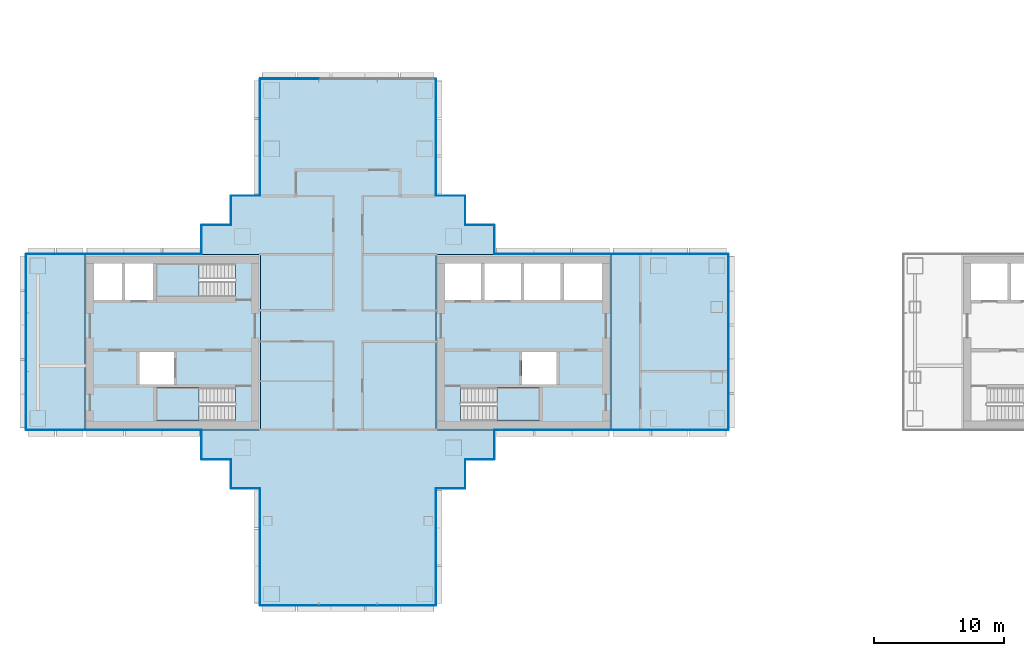
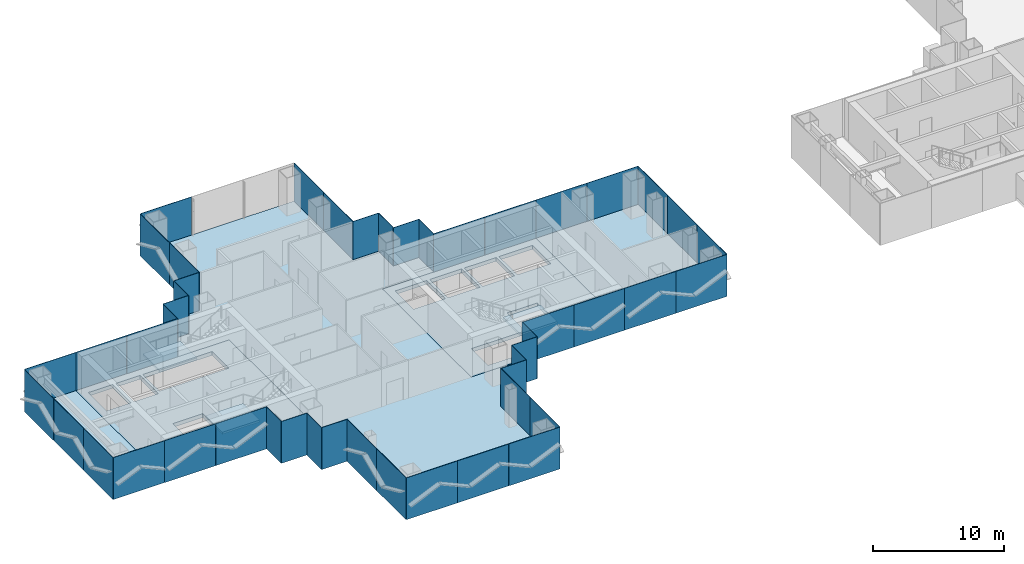
# One storey, part 8 of 19: 48 plates, 8 slabs, 23 elements without a shape of their own.
"""IFC4 building model written with IfcOpenShell, lengths in metres."""

from ifc_helpers import new_model, si_unit, direction, frame, origin, origin_2d, place, context, subcontext, project, spatial, polyline, rectangle, outline, extrude, material, layer, layer_set, type_object, element, aggregate, save


model = new_model("IFC4")

# Units and contexts
model_context = context("Model", 3, precision=1e-05, world=origin(), true_north=direction((0.0, 1.0)))
body_context = subcontext(model_context, "Body", "Model", "MODEL_VIEW")
ifc_project = project(units=[si_unit("LENGTHUNIT", "METRE"), si_unit("AREAUNIT", "SQUARE_METRE"), si_unit("VOLUMEUNIT", "CUBIC_METRE"), si_unit("PLANEANGLEUNIT", "RADIAN"), si_unit("MASSUNIT", "GRAM", prefix="KILO")], contexts=[model_context])

# Site, building, storey
site_placement = place(None, origin())
site = spatial("IfcSite", under=ifc_project, at=site_placement, CompositionType="ELEMENT")
building_placement = place(site_placement, origin())
building = spatial("IfcBuilding", under=site, at=building_placement, Name="Shamsa Quay Exchange Towers", CompositionType="ELEMENT")
storey_placement = place(building_placement, frame((0.0, 0.0, 97.5)))
storey = spatial("IfcBuildingStorey", under=building, at=storey_placement, Name="L22", CompositionType="ELEMENT", Elevation=97.5)

# Slabs
ifc_material_1 = material(Name="Concrete C50/60", Category="concrete")
ifc_layer_1 = layer(ifc_material_1, 0.35009765625)
ifc_layer_set_1 = layer_set([ifc_layer_1], Name="CORE FLOOR 350 C50/60")
slab_type_1 = type_object("IfcSlabType", Name="CORE FLOOR 350 C50/60", PredefinedType="FLOOR", material=ifc_layer_set_1)
slab_1_placement = place(storey_placement, frame((0.0, 0.0, -0.35009765625)))
element("IfcSlab", 1, at=slab_1_placement, inside=storey, type_object=slab_type_1, Name="Core floor T1A", PredefinedType="FLOOR", context=body_context, shape_type="SweptSolid", body=[
    extrude(outline(polyline([(-27.0, -6.75), (-13.5, -6.75), (-13.5, 6.75), (-27.0, 6.75), (-27.0, -6.75)]), holes=[polyline([(-25.099365234375, -6.050048828125), (-25.099365234375, -3.5), (-19.0, -3.5), (-19.0, -6.050048828125), (-25.099365234375, -6.050048828125)]), polyline([(-26.300048828125, 3.25), (-26.300048828125, 6.050048828125), (-23.5, 6.050048828125), (-23.5, 3.25), (-26.300048828125, 3.25)]), polyline([(-23.25, 3.25), (-23.25, 6.050048828125), (-20.449951171875, 6.050048828125), (-20.449951171875, 3.25), (-23.25, 3.25)]), polyline([(-20.199951171875, 3.25), (-20.199951171875, 6.050048828125), (-17.39990234375, 6.050048828125), (-17.39990234375, 3.25), (-20.199951171875, 3.25)]), polyline([(-17.14990234375, 3.25), (-17.14990234375, 6.050048828125), (-14.199951171875, 6.050048828125), (-14.199951171875, 3.25), (-17.14990234375, 3.25)]), polyline([(-20.35009765625, -3.25), (-20.35009765625, -0.75), (-17.699951171875, -0.75), (-17.699951171875, -3.25), (-20.35009765625, -3.25)])]), origin(), (0.0, 0.0, 1.0), 0.35009765625),
])
slab_2_placement = place(storey_placement, frame((0.0, 0.0, -0.35009765625)))
element("IfcSlab", 2, at=slab_2_placement, inside=storey, type_object=slab_type_1, Name="Core floor T1B", PredefinedType="FLOOR", context=body_context, shape_type="SweptSolid", body=[
    extrude(outline(polyline([(-40.5, -6.75), (-40.5, 6.75), (-54.0, 6.75), (-54.0, -6.75), (-40.5, -6.75)]), holes=[polyline([(-42.400634765625, -3.5), (-42.400634765625, -6.050048828125), (-48.5, -6.050048828125), (-48.5, -3.5), (-42.400634765625, -3.5)]), polyline([(-42.400634765625, 6.050048828125), (-42.400634765625, 3.5), (-48.5, 3.5), (-48.5, 6.050048828125), (-42.400634765625, 6.050048828125)]), polyline([(-48.75, 3.25), (-50.89990234375, 3.25), (-50.89990234375, 6.050048828125), (-48.75, 6.050048828125), (-48.75, 3.25)]), polyline([(-51.14990234375, 3.25), (-53.300048828125, 3.25), (-53.300048828125, 6.050048828125), (-51.14990234375, 6.050048828125), (-51.14990234375, 3.25)]), polyline([(-47.14990234375, -3.25), (-49.800048828125, -3.25), (-49.800048828125, -0.75), (-47.14990234375, -0.75), (-47.14990234375, -3.25)])]), origin(), (0.0, 0.0, 1.0), 0.35009765625),
])

# Stair, slab
ifc_material_2 = material(Name="Concrete C40/50", Category="concrete")
stair_type = type_object("IfcStairType", Name="EXIT STAIR 22 RISERS 177 MM", PredefinedType="HALF_TURN_STAIR", material=ifc_material_2)
stair_1_placement = place(storey_placement, origin())
stair_1 = element("IfcStair", 3, at=stair_1_placement, inside=storey, type_object=stair_type, Name="L22 Exit stair ST1", PredefinedType="HALF_TURN_STAIR")
ifc_layer_2 = layer(ifc_material_2, 0.199951171875)
ifc_layer_set_2 = layer_set([ifc_layer_2], Name="CORE STAIR LANDING")
slab_type_2 = type_object("IfcSlabType", Name="CORE STAIR LANDING", PredefinedType="LANDING", material=ifc_layer_set_2)
slab_3_placement = place(storey_placement, frame((0.0, 0.0, 1.75)))
slab_3 = element("IfcSlab", 4, at=slab_3_placement, type_object=slab_type_2, Name="ST1 landing 1", PredefinedType="LANDING", context=body_context, shape_type="SweptSolid", body=[
    extrude(outline(polyline([(-22.300048828125, -6.050048828125), (-19.0, -6.050048828125), (-19.0, -3.5), (-22.300048828125, -3.5), (-22.300048828125, -6.050048828125)])), origin(), (0.0, 0.0, 1.0), 0.199951171875),
])
aggregate(stair_1, [slab_3])

stair_2_placement = place(storey_placement, origin())
stair_2 = element("IfcStair", 5, at=stair_2_placement, inside=storey, type_object=stair_type, Name="L22 Exit stair ST2", PredefinedType="HALF_TURN_STAIR")
slab_4_placement = place(storey_placement, frame((0.0, 0.0, 1.75)))
slab_4 = element("IfcSlab", 6, at=slab_4_placement, type_object=slab_type_2, Name="ST2 landing 1", PredefinedType="LANDING", context=body_context, shape_type="SweptSolid", body=[
    extrude(outline(polyline([(-45.199951171875, -3.5), (-48.5, -3.5), (-48.5, -6.050048828125), (-45.199951171875, -6.050048828125), (-45.199951171875, -3.5)])), origin(), (0.0, 0.0, 1.0), 0.199951171875),
])
aggregate(stair_2, [slab_4])

stair_3_placement = place(storey_placement, origin())
stair_3 = element("IfcStair", 7, at=stair_3_placement, inside=storey, type_object=stair_type, Name="L22 Exit stair ST3", PredefinedType="HALF_TURN_STAIR")
slab_5_placement = place(storey_placement, frame((0.0, 0.0, 1.75)))
slab_5 = element("IfcSlab", 8, at=slab_5_placement, type_object=slab_type_2, Name="ST3 landing 1", PredefinedType="LANDING", context=body_context, shape_type="SweptSolid", body=[
    extrude(outline(polyline([(-45.199951171875, 6.050048828125), (-48.5, 6.050048828125), (-48.5, 3.5), (-45.199951171875, 3.5), (-45.199951171875, 6.050048828125)])), origin(), (0.0, 0.0, 1.0), 0.199951171875),
])
aggregate(stair_3, [slab_5])

# Curtain wall, plates
ifc_material_3 = material(Name="Aluminium EN AW-6063 T6, black anodised", Category="aluminium")
ifc_layer_3 = layer(ifc_material_3, 0.280029296875)
ifc_layer_set_3 = layer_set([ifc_layer_3], Name="CW-1 UNITISED VISION GLASS")
curtain_wall_type_1 = type_object("IfcCurtainWallType", Name="CW-1 UNITISED VISION GLASS", PredefinedType="NOTDEFINED", material=ifc_layer_set_3)
curtain_wall_1_placement = place(storey_placement, origin())
curtain_wall_1 = element("IfcCurtainWall", 9, at=curtain_wall_1_placement, inside=storey, type_object=curtain_wall_type_1, Name="CW1 T1-FLK-V-W L22", PredefinedType="NOTDEFINED")
ifc_material_4 = material(Name="Glass, laminated, dark tinted", Category="glass")
ifc_layer_4 = layer(ifc_material_4, 0.0400390625)
ifc_layer_set_4 = layer_set([ifc_layer_4], Name="CW-1 VISION GLASS 40")
plate_type_1 = type_object("IfcPlateType", Name="CW-1 VISION GLASS 40", PredefinedType="CURTAIN_PANEL", material=ifc_layer_set_4)
plate_1_placement = place(storey_placement, frame((-40.52001953125, -13.52587890625, -0.349853515625), z_axis=(0.0, 0.0, 1.0), x_axis=(0.0, -1.0, 0.0)))
plate_1 = element("IfcPlate", 10, at=plate_1_placement, type_object=plate_type_1, Name="CW1 glass panel", PredefinedType="CURTAIN_PANEL", context=body_context, shape_type="SweptSolid", body=[
    extrude(rectangle(XDim=4.47607421875, YDim=0.0400390625, at=origin_2d()), origin(), (0.0, 0.0, 1.0), 3.89990234375),
])
plate_2_placement = place(storey_placement, frame((-40.52001953125, -18.011962890625, -0.349853515625), z_axis=(0.0, 0.0, 1.0), x_axis=(0.0, -1.0, 0.0)))
plate_2 = element("IfcPlate", 11, at=plate_2_placement, type_object=plate_type_1, Name="CW1 glass panel", PredefinedType="CURTAIN_PANEL", context=body_context, shape_type="SweptSolid", body=[
    extrude(rectangle(XDim=4.47607421875, YDim=0.0400390625, at=origin_2d()), origin(), (0.0, 0.0, 1.0), 3.89990234375),
])
aggregate(curtain_wall_1, [plate_1, plate_2])

curtain_wall_2_placement = place(storey_placement, origin())
curtain_wall_2 = element("IfcCurtainWall", 12, at=curtain_wall_2_placement, inside=storey, type_object=curtain_wall_type_1, Name="CW1 T1-END-V- L22", PredefinedType="NOTDEFINED")
plate_3_placement = place(storey_placement, frame((-38.25244140625, -20.27001953125, -0.349853515625)))
plate_3 = element("IfcPlate", 13, at=plate_3_placement, type_object=plate_type_1, Name="CW1 glass panel", PredefinedType="CURTAIN_PANEL", context=body_context, shape_type="SweptSolid", body=[
    extrude(rectangle(XDim=4.4951171875, YDim=0.0400390625, at=origin_2d()), origin(), (0.0, 0.0, 1.0), 3.89990234375),
])
plate_4_placement = place(storey_placement, frame((-33.75, -20.27001953125, -0.349853515625)))
plate_4 = element("IfcPlate", 14, at=plate_4_placement, type_object=plate_type_1, Name="CW1 glass panel", PredefinedType="CURTAIN_PANEL", context=body_context, shape_type="SweptSolid", body=[
    extrude(rectangle(XDim=4.489990234375, YDim=0.0400390625, at=origin_2d()), origin(), (0.0, 0.0, 1.0), 3.89990234375),
])
plate_5_placement = place(storey_placement, frame((-29.24755859375, -20.27001953125, -0.349853515625)))
plate_5 = element("IfcPlate", 15, at=plate_5_placement, type_object=plate_type_1, Name="CW1 glass panel", PredefinedType="CURTAIN_PANEL", context=body_context, shape_type="SweptSolid", body=[
    extrude(rectangle(XDim=4.4951171875, YDim=0.0400390625, at=origin_2d()), origin(), (0.0, 0.0, 1.0), 3.89990234375),
])
aggregate(curtain_wall_2, [plate_3, plate_4, plate_5])

curtain_wall_3_placement = place(storey_placement, origin())
curtain_wall_3 = element("IfcCurtainWall", 16, at=curtain_wall_3_placement, inside=storey, type_object=curtain_wall_type_1, Name="CW1 T1-FLK-V-E L22", PredefinedType="NOTDEFINED")
plate_6_placement = place(storey_placement, frame((-26.97998046875, -18.00244140625, -0.349853515625), z_axis=(0.0, 0.0, 1.0), x_axis=(0.0, 1.0, 0.0)))
plate_6 = element("IfcPlate", 17, at=plate_6_placement, type_object=plate_type_1, Name="CW1 glass panel", PredefinedType="CURTAIN_PANEL", context=body_context, shape_type="SweptSolid", body=[
    extrude(rectangle(XDim=4.4951171875, YDim=0.0400390625, at=origin_2d()), origin(), (0.0, 0.0, 1.0), 3.89990234375),
])
plate_7_placement = place(storey_placement, frame((-26.97998046875, -13.49755859375, -0.349853515625), z_axis=(0.0, 0.0, 1.0), x_axis=(0.0, 1.0, 0.0)))
plate_7 = element("IfcPlate", 18, at=plate_7_placement, type_object=plate_type_1, Name="CW1 glass panel", PredefinedType="CURTAIN_PANEL", context=body_context, shape_type="SweptSolid", body=[
    extrude(rectangle(XDim=4.4951171875, YDim=0.0400390625, at=origin_2d()), origin(), (0.0, 0.0, 1.0), 3.89990234375),
])
aggregate(curtain_wall_3, [plate_6, plate_7])

curtain_wall_4_placement = place(storey_placement, origin())
curtain_wall_4 = element("IfcCurtainWall", 19, at=curtain_wall_4_placement, inside=storey, type_object=curtain_wall_type_1, Name="CW1 T1-FLK-U+S L22", PredefinedType="NOTDEFINED")
plate_8_placement = place(storey_placement, frame((-11.25244140625, -6.77001953125, -0.349853515625)))
plate_8 = element("IfcPlate", 20, at=plate_8_placement, type_object=plate_type_1, Name="CW1 glass panel", PredefinedType="CURTAIN_PANEL", context=body_context, shape_type="SweptSolid", body=[
    extrude(rectangle(XDim=4.4951171875, YDim=0.0400390625, at=origin_2d()), origin(), (0.0, 0.0, 1.0), 3.89990234375),
])
plate_9_placement = place(storey_placement, frame((-6.74755859375, -6.77001953125, -0.349853515625)))
plate_9 = element("IfcPlate", 21, at=plate_9_placement, type_object=plate_type_1, Name="CW1 glass panel", PredefinedType="CURTAIN_PANEL", context=body_context, shape_type="SweptSolid", body=[
    extrude(rectangle(XDim=4.4951171875, YDim=0.0400390625, at=origin_2d()), origin(), (0.0, 0.0, 1.0), 3.89990234375),
])
aggregate(curtain_wall_4, [plate_8, plate_9])

curtain_wall_5_placement = place(storey_placement, origin())
curtain_wall_5 = element("IfcCurtainWall", 22, at=curtain_wall_5_placement, inside=storey, type_object=curtain_wall_type_1, Name="CW1 T1-END-U+ L22", PredefinedType="NOTDEFINED")
plate_10_placement = place(storey_placement, frame((-4.47998046875, -4.50244140625, -0.349853515625), z_axis=(0.0, 0.0, 1.0), x_axis=(0.0, 1.0, 0.0)))
plate_10 = element("IfcPlate", 23, at=plate_10_placement, type_object=plate_type_1, Name="CW1 glass panel", PredefinedType="CURTAIN_PANEL", context=body_context, shape_type="SweptSolid", body=[
    extrude(rectangle(XDim=4.4951171875, YDim=0.0400390625, at=origin_2d()), origin(), (0.0, 0.0, 1.0), 3.89990234375),
])
plate_11_placement = place(storey_placement, frame((-4.47998046875, 0.0, -0.349853515625), z_axis=(0.0, 0.0, 1.0), x_axis=(0.0, 1.0, 0.0)))
plate_11 = element("IfcPlate", 24, at=plate_11_placement, type_object=plate_type_1, Name="CW1 glass panel", PredefinedType="CURTAIN_PANEL", context=body_context, shape_type="SweptSolid", body=[
    extrude(rectangle(XDim=4.489990234375, YDim=0.0400390625, at=origin_2d()), origin(), (0.0, 0.0, 1.0), 3.89990234375),
])
plate_12_placement = place(storey_placement, frame((-4.47998046875, 4.50244140625, -0.349853515625), z_axis=(0.0, 0.0, 1.0), x_axis=(0.0, 1.0, 0.0)))
plate_12 = element("IfcPlate", 25, at=plate_12_placement, type_object=plate_type_1, Name="CW1 glass panel", PredefinedType="CURTAIN_PANEL", context=body_context, shape_type="SweptSolid", body=[
    extrude(rectangle(XDim=4.4951171875, YDim=0.0400390625, at=origin_2d()), origin(), (0.0, 0.0, 1.0), 3.89990234375),
])
aggregate(curtain_wall_5, [plate_10, plate_11, plate_12])

curtain_wall_6_placement = place(storey_placement, origin())
curtain_wall_6 = element("IfcCurtainWall", 26, at=curtain_wall_6_placement, inside=storey, type_object=curtain_wall_type_1, Name="CW1 T1-FLK-U+N L22", PredefinedType="NOTDEFINED")
plate_13_placement = place(storey_placement, frame((-6.74755859375, 6.77001953125, -0.349853515625), z_axis=(0.0, 0.0, 1.0), x_axis=(-1.0, 0.0, 0.0)))
plate_13 = element("IfcPlate", 27, at=plate_13_placement, type_object=plate_type_1, Name="CW1 glass panel", PredefinedType="CURTAIN_PANEL", context=body_context, shape_type="SweptSolid", body=[
    extrude(rectangle(XDim=4.4951171875, YDim=0.0400390625, at=origin_2d()), origin(), (0.0, 0.0, 1.0), 3.89990234375),
])
plate_14_placement = place(storey_placement, frame((-11.25244140625, 6.77001953125, -0.349853515625), z_axis=(0.0, 0.0, 1.0), x_axis=(-1.0, 0.0, 0.0)))
plate_14 = element("IfcPlate", 28, at=plate_14_placement, type_object=plate_type_1, Name="CW1 glass panel", PredefinedType="CURTAIN_PANEL", context=body_context, shape_type="SweptSolid", body=[
    extrude(rectangle(XDim=4.4951171875, YDim=0.0400390625, at=origin_2d()), origin(), (0.0, 0.0, 1.0), 3.89990234375),
])
aggregate(curtain_wall_6, [plate_13, plate_14])

curtain_wall_7_placement = place(storey_placement, origin())
curtain_wall_7 = element("IfcCurtainWall", 29, at=curtain_wall_7_placement, inside=storey, type_object=curtain_wall_type_1, Name="CW1 T1-FLK-V+E L22", PredefinedType="NOTDEFINED")
plate_15_placement = place(storey_placement, frame((-26.97998046875, 13.52587890625, -0.349853515625), z_axis=(0.0, 0.0, 1.0), x_axis=(0.0, 1.0, 0.0)))
plate_15 = element("IfcPlate", 30, at=plate_15_placement, type_object=plate_type_1, Name="CW1 glass panel", PredefinedType="CURTAIN_PANEL", context=body_context, shape_type="SweptSolid", body=[
    extrude(rectangle(XDim=4.47607421875, YDim=0.0400390625, at=origin_2d()), origin(), (0.0, 0.0, 1.0), 3.89990234375),
])
plate_16_placement = place(storey_placement, frame((-26.97998046875, 18.011962890625, -0.349853515625), z_axis=(0.0, 0.0, 1.0), x_axis=(0.0, 1.0, 0.0)))
plate_16 = element("IfcPlate", 31, at=plate_16_placement, type_object=plate_type_1, Name="CW1 glass panel", PredefinedType="CURTAIN_PANEL", context=body_context, shape_type="SweptSolid", body=[
    extrude(rectangle(XDim=4.47607421875, YDim=0.0400390625, at=origin_2d()), origin(), (0.0, 0.0, 1.0), 3.89990234375),
])
aggregate(curtain_wall_7, [plate_15, plate_16])

# Curtain wall, plate
curtain_wall_8_placement = place(storey_placement, origin())
curtain_wall_8 = element("IfcCurtainWall", 32, at=curtain_wall_8_placement, inside=storey, type_object=curtain_wall_type_1, Name="CW1 T1-END-V+ L22", PredefinedType="NOTDEFINED")
plate_17_placement = place(storey_placement, frame((-38.25244140625, 20.27001953125, -0.349853515625), z_axis=(0.0, 0.0, 1.0), x_axis=(-1.0, 0.0, 0.0)))
plate_17 = element("IfcPlate", 33, at=plate_17_placement, type_object=plate_type_1, Name="CW1 glass panel", PredefinedType="CURTAIN_PANEL", context=body_context, shape_type="SweptSolid", body=[
    extrude(rectangle(XDim=4.4951171875, YDim=0.0400390625, at=origin_2d()), origin(), (0.0, 0.0, 1.0), 3.89990234375),
])
aggregate(curtain_wall_8, [plate_17])

# Curtain wall, plates
curtain_wall_9_placement = place(storey_placement, origin())
curtain_wall_9 = element("IfcCurtainWall", 34, at=curtain_wall_9_placement, inside=storey, type_object=curtain_wall_type_1, Name="CW1 T1-FLK-V+W L22", PredefinedType="NOTDEFINED")
plate_18_placement = place(storey_placement, frame((-40.52001953125, 18.00244140625, -0.349853515625), z_axis=(0.0, 0.0, 1.0), x_axis=(0.0, -1.0, 0.0)))
plate_18 = element("IfcPlate", 35, at=plate_18_placement, type_object=plate_type_1, Name="CW1 glass panel", PredefinedType="CURTAIN_PANEL", context=body_context, shape_type="SweptSolid", body=[
    extrude(rectangle(XDim=4.4951171875, YDim=0.0400390625, at=origin_2d()), origin(), (0.0, 0.0, 1.0), 3.89990234375),
])
plate_19_placement = place(storey_placement, frame((-40.52001953125, 13.49755859375, -0.349853515625), z_axis=(0.0, 0.0, 1.0), x_axis=(0.0, -1.0, 0.0)))
plate_19 = element("IfcPlate", 36, at=plate_19_placement, type_object=plate_type_1, Name="CW1 glass panel", PredefinedType="CURTAIN_PANEL", context=body_context, shape_type="SweptSolid", body=[
    extrude(rectangle(XDim=4.4951171875, YDim=0.0400390625, at=origin_2d()), origin(), (0.0, 0.0, 1.0), 3.89990234375),
])
aggregate(curtain_wall_9, [plate_18, plate_19])

# Curtain wall, plate
curtain_wall_10_placement = place(storey_placement, origin())
curtain_wall_10 = element("IfcCurtainWall", 37, at=curtain_wall_10_placement, inside=storey, type_object=curtain_wall_type_1, Name="CW1 T1-FLK-U-N L22", PredefinedType="NOTDEFINED")
plate_20_placement = place(storey_placement, frame((-56.25, 6.77001953125, -0.349853515625), z_axis=(0.0, 0.0, 1.0), x_axis=(-1.0, 0.0, 0.0)))
plate_20 = element("IfcPlate", 38, at=plate_20_placement, type_object=plate_type_1, Name="CW1 glass panel", PredefinedType="CURTAIN_PANEL", context=body_context, shape_type="SweptSolid", body=[
    extrude(rectangle(XDim=4.5, YDim=0.0400390625, at=origin_2d()), origin(), (0.0, 0.0, 1.0), 3.89990234375),
])
aggregate(curtain_wall_10, [plate_20])

# Curtain wall, plates
curtain_wall_11_placement = place(storey_placement, origin())
curtain_wall_11 = element("IfcCurtainWall", 39, at=curtain_wall_11_placement, inside=storey, type_object=curtain_wall_type_1, Name="CW1 T1-END-U- L22", PredefinedType="NOTDEFINED")
plate_21_placement = place(storey_placement, frame((-58.52001953125, 4.50244140625, -0.349853515625), z_axis=(0.0, 0.0, 1.0), x_axis=(0.0, -1.0, 0.0)))
plate_21 = element("IfcPlate", 40, at=plate_21_placement, type_object=plate_type_1, Name="CW1 glass panel", PredefinedType="CURTAIN_PANEL", context=body_context, shape_type="SweptSolid", body=[
    extrude(rectangle(XDim=4.4951171875, YDim=0.0400390625, at=origin_2d()), origin(), (0.0, 0.0, 1.0), 3.89990234375),
])
plate_22_placement = place(storey_placement, frame((-58.52001953125, 0.0, -0.349853515625), z_axis=(0.0, 0.0, 1.0), x_axis=(0.0, -1.0, 0.0)))
plate_22 = element("IfcPlate", 41, at=plate_22_placement, type_object=plate_type_1, Name="CW1 glass panel", PredefinedType="CURTAIN_PANEL", context=body_context, shape_type="SweptSolid", body=[
    extrude(rectangle(XDim=4.489990234375, YDim=0.0400390625, at=origin_2d()), origin(), (0.0, 0.0, 1.0), 3.89990234375),
])
plate_23_placement = place(storey_placement, frame((-58.52001953125, -4.50244140625, -0.349853515625), z_axis=(0.0, 0.0, 1.0), x_axis=(0.0, -1.0, 0.0)))
plate_23 = element("IfcPlate", 42, at=plate_23_placement, type_object=plate_type_1, Name="CW1 glass panel", PredefinedType="CURTAIN_PANEL", context=body_context, shape_type="SweptSolid", body=[
    extrude(rectangle(XDim=4.4951171875, YDim=0.0400390625, at=origin_2d()), origin(), (0.0, 0.0, 1.0), 3.89990234375),
])
aggregate(curtain_wall_11, [plate_21, plate_22, plate_23])

# Curtain wall, plate
curtain_wall_12_placement = place(storey_placement, origin())
curtain_wall_12 = element("IfcCurtainWall", 43, at=curtain_wall_12_placement, inside=storey, type_object=curtain_wall_type_1, Name="CW1 T1-FLK-U-S L22", PredefinedType="NOTDEFINED")
plate_24_placement = place(storey_placement, frame((-56.25, -6.77001953125, -0.349853515625)))
plate_24 = element("IfcPlate", 44, at=plate_24_placement, type_object=plate_type_1, Name="CW1 glass panel", PredefinedType="CURTAIN_PANEL", context=body_context, shape_type="SweptSolid", body=[
    extrude(rectangle(XDim=4.5, YDim=0.0400390625, at=origin_2d()), origin(), (0.0, 0.0, 1.0), 3.89990234375),
])
aggregate(curtain_wall_12, [plate_24])

# Curtain wall, plates
ifc_layer_5 = layer(ifc_material_3, 0.303955078125)
ifc_layer_set_5 = layer_set([ifc_layer_5], Name="CW-2 UNITISED OPAQUE SPANDREL GLASS")
curtain_wall_type_2 = type_object("IfcCurtainWallType", Name="CW-2 UNITISED OPAQUE SPANDREL GLASS", PredefinedType="NOTDEFINED", material=ifc_layer_set_5)
curtain_wall_13_placement = place(storey_placement, origin())
curtain_wall_13 = element("IfcCurtainWall", 45, at=curtain_wall_13_placement, inside=storey, type_object=curtain_wall_type_2, Name="CW2 T1-FLK-U+S L22", PredefinedType="NOTDEFINED")
ifc_material_5 = material(Name="Glass, laminated, black enamelled opaque", Category="glass")
ifc_layer_6 = layer(ifc_material_5, 0.0439453125)
ifc_layer_set_6 = layer_set([ifc_layer_6], Name="CW-2 SPANDREL GLASS 44")
plate_type_2 = type_object("IfcPlateType", Name="CW-2 SPANDREL GLASS 44", PredefinedType="CURTAIN_PANEL", material=ifc_layer_set_6)
plate_25_placement = place(storey_placement, frame((-20.22412109375, -6.77197265625, -0.349853515625)))
plate_25 = element("IfcPlate", 46, at=plate_25_placement, type_object=plate_type_2, Name="CW2 glass panel", PredefinedType="CURTAIN_PANEL", context=body_context, shape_type="SweptSolid", body=[
    extrude(rectangle(XDim=4.47607421875, YDim=0.0439453125, at=origin_2d()), origin(), (0.0, 0.0, 1.0), 3.89990234375),
])
plate_26_placement = place(storey_placement, frame((-15.738037109375, -6.77197265625, -0.349853515625)))
plate_26 = element("IfcPlate", 47, at=plate_26_placement, type_object=plate_type_2, Name="CW2 glass panel", PredefinedType="CURTAIN_PANEL", context=body_context, shape_type="SweptSolid", body=[
    extrude(rectangle(XDim=4.47607421875, YDim=0.0439453125, at=origin_2d()), origin(), (0.0, 0.0, 1.0), 3.89990234375),
])
aggregate(curtain_wall_13, [plate_25, plate_26])

curtain_wall_14_placement = place(storey_placement, origin())
curtain_wall_14 = element("IfcCurtainWall", 48, at=curtain_wall_14_placement, inside=storey, type_object=curtain_wall_type_2, Name="CW2 T1-FLK-U+N L22", PredefinedType="NOTDEFINED")
plate_27_placement = place(storey_placement, frame((-15.74755859375, 6.77197265625, -0.349853515625), z_axis=(0.0, 0.0, 1.0), x_axis=(-1.0, 0.0, 0.0)))
plate_27 = element("IfcPlate", 49, at=plate_27_placement, type_object=plate_type_2, Name="CW2 glass panel", PredefinedType="CURTAIN_PANEL", context=body_context, shape_type="SweptSolid", body=[
    extrude(rectangle(XDim=4.4951171875, YDim=0.0439453125, at=origin_2d()), origin(), (0.0, 0.0, 1.0), 3.89990234375),
])
plate_28_placement = place(storey_placement, frame((-20.25244140625, 6.77197265625, -0.349853515625), z_axis=(0.0, 0.0, 1.0), x_axis=(-1.0, 0.0, 0.0)))
plate_28 = element("IfcPlate", 50, at=plate_28_placement, type_object=plate_type_2, Name="CW2 glass panel", PredefinedType="CURTAIN_PANEL", context=body_context, shape_type="SweptSolid", body=[
    extrude(rectangle(XDim=4.4951171875, YDim=0.0439453125, at=origin_2d()), origin(), (0.0, 0.0, 1.0), 3.89990234375),
])
aggregate(curtain_wall_14, [plate_27, plate_28])

curtain_wall_15_placement = place(storey_placement, origin())
curtain_wall_15 = element("IfcCurtainWall", 51, at=curtain_wall_15_placement, inside=storey, type_object=curtain_wall_type_2, Name="CW2 T1-FLK-U-N L22", PredefinedType="NOTDEFINED")
plate_29_placement = place(storey_placement, frame((-47.27587890625, 6.77197265625, -0.349853515625), z_axis=(0.0, 0.0, 1.0), x_axis=(-1.0, 0.0, 0.0)))
plate_29 = element("IfcPlate", 52, at=plate_29_placement, type_object=plate_type_2, Name="CW2 glass panel", PredefinedType="CURTAIN_PANEL", context=body_context, shape_type="SweptSolid", body=[
    extrude(rectangle(XDim=4.47607421875, YDim=0.0439453125, at=origin_2d()), origin(), (0.0, 0.0, 1.0), 3.89990234375),
])
plate_30_placement = place(storey_placement, frame((-51.761962890625, 6.77197265625, -0.349853515625), z_axis=(0.0, 0.0, 1.0), x_axis=(-1.0, 0.0, 0.0)))
plate_30 = element("IfcPlate", 53, at=plate_30_placement, type_object=plate_type_2, Name="CW2 glass panel", PredefinedType="CURTAIN_PANEL", context=body_context, shape_type="SweptSolid", body=[
    extrude(rectangle(XDim=4.47607421875, YDim=0.0439453125, at=origin_2d()), origin(), (0.0, 0.0, 1.0), 3.89990234375),
])
aggregate(curtain_wall_15, [plate_29, plate_30])

curtain_wall_16_placement = place(storey_placement, origin())
curtain_wall_16 = element("IfcCurtainWall", 54, at=curtain_wall_16_placement, inside=storey, type_object=curtain_wall_type_2, Name="CW2 T1-FLK-U-S L22", PredefinedType="NOTDEFINED")
plate_31_placement = place(storey_placement, frame((-51.75244140625, -6.77197265625, -0.349853515625)))
plate_31 = element("IfcPlate", 55, at=plate_31_placement, type_object=plate_type_2, Name="CW2 glass panel", PredefinedType="CURTAIN_PANEL", context=body_context, shape_type="SweptSolid", body=[
    extrude(rectangle(XDim=4.4951171875, YDim=0.0439453125, at=origin_2d()), origin(), (0.0, 0.0, 1.0), 3.89990234375),
])
plate_32_placement = place(storey_placement, frame((-47.24755859375, -6.77197265625, -0.349853515625)))
plate_32 = element("IfcPlate", 56, at=plate_32_placement, type_object=plate_type_2, Name="CW2 glass panel", PredefinedType="CURTAIN_PANEL", context=body_context, shape_type="SweptSolid", body=[
    extrude(rectangle(XDim=4.4951171875, YDim=0.0439453125, at=origin_2d()), origin(), (0.0, 0.0, 1.0), 3.89990234375),
])
aggregate(curtain_wall_16, [plate_31, plate_32])

ifc_layer_7 = layer(ifc_material_3, 0.256103515625)
ifc_layer_set_7 = layer_set([ifc_layer_7], Name="CW-4 POCKET SERRATED GLAZING")
curtain_wall_type_3 = type_object("IfcCurtainWallType", Name="CW-4 POCKET SERRATED GLAZING", PredefinedType="NOTDEFINED", material=ifc_layer_set_7)
curtain_wall_17_placement = place(storey_placement, origin())
curtain_wall_17 = element("IfcCurtainWall", 57, at=curtain_wall_17_placement, inside=storey, type_object=curtain_wall_type_3, Name="CW4 PKWS L22", PredefinedType="NOTDEFINED")
ifc_layer_8 = layer(ifc_material_4, 0.035888671875)
ifc_layer_set_8 = layer_set([ifc_layer_8], Name="CW-4 POCKET GLASS 36")
plate_type_3 = type_object("IfcPlateType", Name="CW-4 POCKET GLASS 36", PredefinedType="CURTAIN_PANEL", material=ifc_layer_set_8)
plate_33_placement = place(storey_placement, frame((-42.76806640625, -10.14404296875, -0.349853515625), z_axis=(0.0, 0.0, 1.0), x_axis=(0.0, -1.0, 0.0)))
plate_33 = element("IfcPlate", 58, at=plate_33_placement, type_object=plate_type_3, Name="CW4 glass panel", PredefinedType="CURTAIN_PANEL", context=body_context, shape_type="SweptSolid", body=[
    extrude(rectangle(XDim=2.2119140625, YDim=0.035888671875, at=origin_2d()), origin(), (0.0, 0.0, 1.0), 3.89990234375),
])
plate_34_placement = place(storey_placement, frame((-41.625, -11.26806640625, -0.349853515625)))
plate_34 = element("IfcPlate", 59, at=plate_34_placement, type_object=plate_type_3, Name="CW4 glass panel", PredefinedType="CURTAIN_PANEL", context=body_context, shape_type="SweptSolid", body=[
    extrude(rectangle(XDim=2.25, YDim=0.035888671875, at=origin_2d()), origin(), (0.0, 0.0, 1.0), 3.89990234375),
])
plate_35_placement = place(storey_placement, frame((-45.01806640625, -7.89794921875, -0.349853515625), z_axis=(0.0, 0.0, 1.0), x_axis=(0.0, -1.0, 0.0)))
plate_35 = element("IfcPlate", 60, at=plate_35_placement, type_object=plate_type_3, Name="CW4 glass panel", PredefinedType="CURTAIN_PANEL", context=body_context, shape_type="SweptSolid", body=[
    extrude(rectangle(XDim=2.2041015625, YDim=0.035888671875, at=origin_2d()), origin(), (0.0, 0.0, 1.0), 3.89990234375),
])
plate_36_placement = place(storey_placement, frame((-43.875, -9.01806640625, -0.349853515625)))
plate_36 = element("IfcPlate", 61, at=plate_36_placement, type_object=plate_type_3, Name="CW4 glass panel", PredefinedType="CURTAIN_PANEL", context=body_context, shape_type="SweptSolid", body=[
    extrude(rectangle(XDim=2.25, YDim=0.035888671875, at=origin_2d()), origin(), (0.0, 0.0, 1.0), 3.89990234375),
])
aggregate(curtain_wall_17, [plate_33, plate_34, plate_35, plate_36])

curtain_wall_18_placement = place(storey_placement, origin())
curtain_wall_18 = element("IfcCurtainWall", 62, at=curtain_wall_18_placement, inside=storey, type_object=curtain_wall_type_3, Name="CW4 PKES L22", PredefinedType="NOTDEFINED")
plate_37_placement = place(storey_placement, frame((-25.85400390625, -11.26806640625, -0.349853515625)))
plate_37 = element("IfcPlate", 63, at=plate_37_placement, type_object=plate_type_3, Name="CW4 glass panel", PredefinedType="CURTAIN_PANEL", context=body_context, shape_type="SweptSolid", body=[
    extrude(rectangle(XDim=2.2080078125, YDim=0.035888671875, at=origin_2d()), origin(), (0.0, 0.0, 1.0), 3.89990234375),
])
plate_38_placement = place(storey_placement, frame((-24.73193359375, -10.125, -0.349853515625), z_axis=(0.0, 0.0, 1.0), x_axis=(0.0, 1.0, 0.0)))
plate_38 = element("IfcPlate", 64, at=plate_38_placement, type_object=plate_type_3, Name="CW4 glass panel", PredefinedType="CURTAIN_PANEL", context=body_context, shape_type="SweptSolid", body=[
    extrude(rectangle(XDim=2.25, YDim=0.035888671875, at=origin_2d()), origin(), (0.0, 0.0, 1.0), 3.89990234375),
])
plate_39_placement = place(storey_placement, frame((-23.60595703125, -9.01806640625, -0.349853515625)))
plate_39 = element("IfcPlate", 65, at=plate_39_placement, type_object=plate_type_3, Name="CW4 glass panel", PredefinedType="CURTAIN_PANEL", context=body_context, shape_type="SweptSolid", body=[
    extrude(rectangle(XDim=2.2119140625, YDim=0.035888671875, at=origin_2d()), origin(), (0.0, 0.0, 1.0), 3.89990234375),
])
plate_40_placement = place(storey_placement, frame((-22.48193359375, -7.875, -0.349853515625), z_axis=(0.0, 0.0, 1.0), x_axis=(0.0, 1.0, 0.0)))
plate_40 = element("IfcPlate", 66, at=plate_40_placement, type_object=plate_type_3, Name="CW4 glass panel", PredefinedType="CURTAIN_PANEL", context=body_context, shape_type="SweptSolid", body=[
    extrude(rectangle(XDim=2.25, YDim=0.035888671875, at=origin_2d()), origin(), (0.0, 0.0, 1.0), 3.89990234375),
])
aggregate(curtain_wall_18, [plate_37, plate_38, plate_39, plate_40])

curtain_wall_19_placement = place(storey_placement, origin())
curtain_wall_19 = element("IfcCurtainWall", 67, at=curtain_wall_19_placement, inside=storey, type_object=curtain_wall_type_3, Name="CW4 PKEN L22", PredefinedType="NOTDEFINED")
plate_41_placement = place(storey_placement, frame((-22.48193359375, 7.89794921875, -0.349853515625), z_axis=(0.0, 0.0, 1.0), x_axis=(0.0, 1.0, 0.0)))
plate_41 = element("IfcPlate", 68, at=plate_41_placement, type_object=plate_type_3, Name="CW4 glass panel", PredefinedType="CURTAIN_PANEL", context=body_context, shape_type="SweptSolid", body=[
    extrude(rectangle(XDim=2.2041015625, YDim=0.035888671875, at=origin_2d()), origin(), (0.0, 0.0, 1.0), 3.89990234375),
])
plate_42_placement = place(storey_placement, frame((-23.625, 9.01806640625, -0.349853515625), z_axis=(0.0, 0.0, 1.0), x_axis=(-1.0, 0.0, 0.0)))
plate_42 = element("IfcPlate", 69, at=plate_42_placement, type_object=plate_type_3, Name="CW4 glass panel", PredefinedType="CURTAIN_PANEL", context=body_context, shape_type="SweptSolid", body=[
    extrude(rectangle(XDim=2.25, YDim=0.035888671875, at=origin_2d()), origin(), (0.0, 0.0, 1.0), 3.89990234375),
])
plate_43_placement = place(storey_placement, frame((-24.73193359375, 10.14404296875, -0.349853515625), z_axis=(0.0, 0.0, 1.0), x_axis=(0.0, 1.0, 0.0)))
plate_43 = element("IfcPlate", 70, at=plate_43_placement, type_object=plate_type_3, Name="CW4 glass panel", PredefinedType="CURTAIN_PANEL", context=body_context, shape_type="SweptSolid", body=[
    extrude(rectangle(XDim=2.2119140625, YDim=0.035888671875, at=origin_2d()), origin(), (0.0, 0.0, 1.0), 3.89990234375),
])
plate_44_placement = place(storey_placement, frame((-25.875, 11.26806640625, -0.349853515625), z_axis=(0.0, 0.0, 1.0), x_axis=(-1.0, 0.0, 0.0)))
plate_44 = element("IfcPlate", 71, at=plate_44_placement, type_object=plate_type_3, Name="CW4 glass panel", PredefinedType="CURTAIN_PANEL", context=body_context, shape_type="SweptSolid", body=[
    extrude(rectangle(XDim=2.25, YDim=0.035888671875, at=origin_2d()), origin(), (0.0, 0.0, 1.0), 3.89990234375),
])
aggregate(curtain_wall_19, [plate_41, plate_42, plate_43, plate_44])

curtain_wall_20_placement = place(storey_placement, origin())
curtain_wall_20 = element("IfcCurtainWall", 72, at=curtain_wall_20_placement, inside=storey, type_object=curtain_wall_type_3, Name="CW4 PKWN L22", PredefinedType="NOTDEFINED")
plate_45_placement = place(storey_placement, frame((-41.64599609375, 11.26806640625, -0.349853515625), z_axis=(0.0, 0.0, 1.0), x_axis=(-1.0, 0.0, 0.0)))
plate_45 = element("IfcPlate", 73, at=plate_45_placement, type_object=plate_type_3, Name="CW4 glass panel", PredefinedType="CURTAIN_PANEL", context=body_context, shape_type="SweptSolid", body=[
    extrude(rectangle(XDim=2.2080078125, YDim=0.035888671875, at=origin_2d()), origin(), (0.0, 0.0, 1.0), 3.89990234375),
])
plate_46_placement = place(storey_placement, frame((-42.76806640625, 10.125, -0.349853515625), z_axis=(0.0, 0.0, 1.0), x_axis=(0.0, -1.0, 0.0)))
plate_46 = element("IfcPlate", 74, at=plate_46_placement, type_object=plate_type_3, Name="CW4 glass panel", PredefinedType="CURTAIN_PANEL", context=body_context, shape_type="SweptSolid", body=[
    extrude(rectangle(XDim=2.25, YDim=0.035888671875, at=origin_2d()), origin(), (0.0, 0.0, 1.0), 3.89990234375),
])
plate_47_placement = place(storey_placement, frame((-43.89404296875, 9.01806640625, -0.349853515625), z_axis=(0.0, 0.0, 1.0), x_axis=(-1.0, 0.0, 0.0)))
plate_47 = element("IfcPlate", 75, at=plate_47_placement, type_object=plate_type_3, Name="CW4 glass panel", PredefinedType="CURTAIN_PANEL", context=body_context, shape_type="SweptSolid", body=[
    extrude(rectangle(XDim=2.2119140625, YDim=0.035888671875, at=origin_2d()), origin(), (0.0, 0.0, 1.0), 3.89990234375),
])
plate_48_placement = place(storey_placement, frame((-45.01806640625, 7.875, -0.349853515625), z_axis=(0.0, 0.0, 1.0), x_axis=(0.0, -1.0, 0.0)))
plate_48 = element("IfcPlate", 76, at=plate_48_placement, type_object=plate_type_3, Name="CW4 glass panel", PredefinedType="CURTAIN_PANEL", context=body_context, shape_type="SweptSolid", body=[
    extrude(rectangle(XDim=2.25, YDim=0.035888671875, at=origin_2d()), origin(), (0.0, 0.0, 1.0), 3.89990234375),
])
aggregate(curtain_wall_20, [plate_45, plate_46, plate_47, plate_48])

# Slabs
ifc_layer_9 = layer(ifc_material_2, 0.35009765625)
ifc_layer_set_9 = layer_set([ifc_layer_9], Name="Flat slab 350")
slab_type_3 = type_object("IfcSlabType", Name="Flat slab 350", PredefinedType="FLOOR", material=ifc_layer_set_9)
slab_6_placement = place(storey_placement, frame((0.0, 0.0, -0.35009765625)))
element("IfcSlab", 77, at=slab_6_placement, inside=storey, type_object=slab_type_3, Name="Flat slab T1 L22 1", PredefinedType="FLOOR", context=body_context, shape_type="SweptSolid", body=[
    extrude(outline(polyline([(-58.5, -6.75), (-54.0, -6.75), (-54.0, 6.75), (-58.5, 6.75), (-58.5, -6.75)])), origin(), (0.0, 0.0, 1.0), 0.35009765625),
])
slab_7_placement = place(storey_placement, frame((0.0, 0.0, -0.35009765625)))
element("IfcSlab", 78, at=slab_7_placement, inside=storey, type_object=slab_type_3, Name="Flat slab T1 L22 2", PredefinedType="FLOOR", context=body_context, shape_type="SweptSolid", body=[
    extrude(outline(polyline([(-22.5, -9.0), (-22.5, -6.75), (-27.0, -6.75), (-27.0, 6.75), (-22.5, 6.75), (-22.5, 9.0), (-24.75, 9.0), (-24.75, 11.25), (-27.0, 11.25), (-27.0, 20.25), (-40.5, 20.25), (-40.5, 11.25), (-42.75, 11.25), (-42.75, 9.0), (-45.0, 9.0), (-45.0, 6.75), (-40.5, 6.75), (-40.5, -6.75), (-45.0, -6.75), (-45.0, -9.0), (-42.75, -9.0), (-42.75, -11.25), (-40.5, -11.25), (-40.5, -20.25), (-27.0, -20.25), (-27.0, -11.25), (-24.75, -11.25), (-24.75, -9.0), (-22.5, -9.0)])), origin(), (0.0, 0.0, 1.0), 0.35009765625),
])
slab_8_placement = place(storey_placement, frame((0.0, 0.0, -0.35009765625)))
element("IfcSlab", 79, at=slab_8_placement, inside=storey, type_object=slab_type_3, Name="Flat slab T1 L22 3", PredefinedType="FLOOR", context=body_context, shape_type="SweptSolid", body=[
    extrude(outline(polyline([(-4.5, 6.75), (-13.5, 6.75), (-13.5, -6.75), (-4.5, -6.75), (-4.5, 6.75)])), origin(), (0.0, 0.0, 1.0), 0.35009765625),
])

save(model, "model.ifc")
